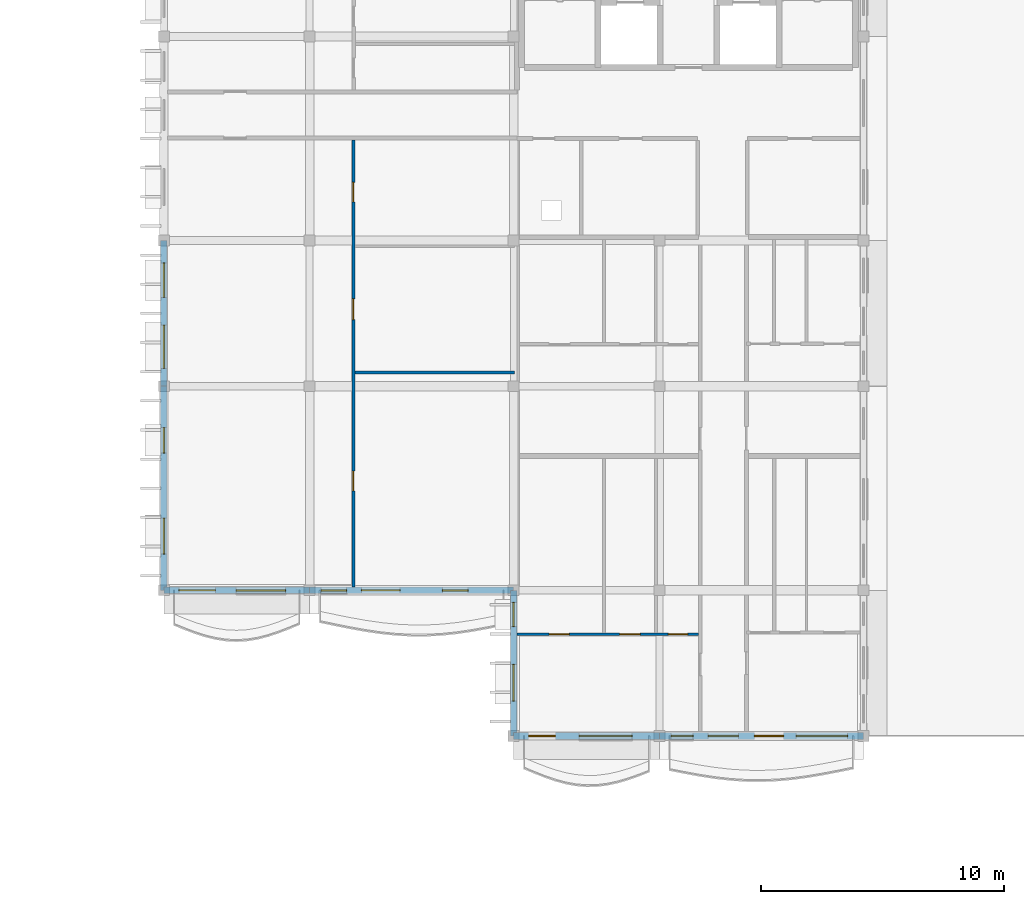
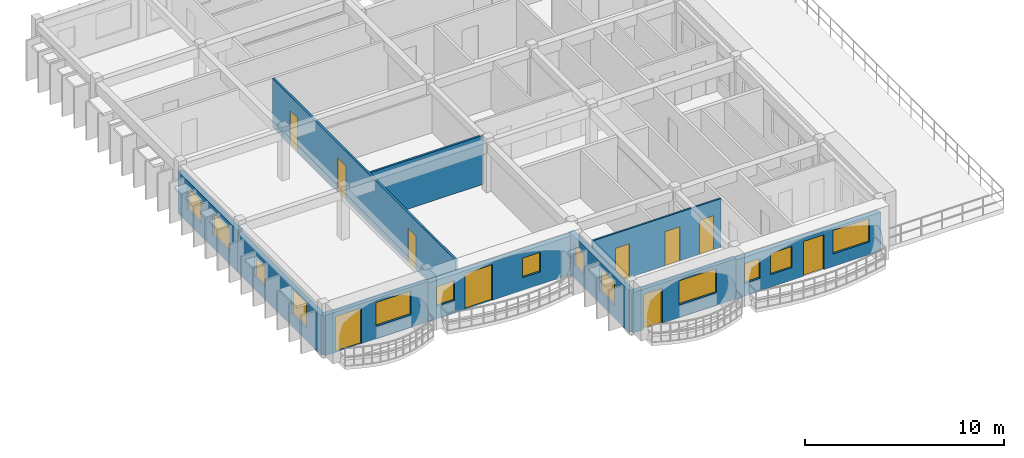
# One storey, part 29 of 66: 13 windows, 10 doors, 10 walls, 23 openings.
"""IFC4 building model written with IfcOpenShell, lengths in metres."""

import ifcopenshell
import ifcopenshell.guid

model = None  # the IFC model being written
_history = None  # IfcOwnerHistory: only IFC2X3 demands one
_inside = {}  # id of a spatial element -> (the spatial element, [elements in it])
_under = {}  # id of a project, library or spatial element -> (it, [spatial elements below it])
_declared = {}  # id of a project -> (the project, [libraries it declares])
_typed = {}  # id of a type object -> (the type object, [elements of that type])
_made_of = {}  # id of a material, layer set ... -> (it, [elements and type objects made of it])


def new_model(schema):
    """Start an empty IFC model of exactly this schema.

    Asked for "IFC4X3", IfcOpenShell would pick the latest addendum, in which some entities
    have other attributes; the version numbers below select the first issue.
    IFC2X3 requires an IfcOwnerHistory on every rooted entity: one is made here for all.
    """
    global model, _history
    if schema == "IFC4X3":
        model = ifcopenshell.file(schema_version=(4, 3, 0, 0))
    else:
        model = ifcopenshell.file(schema=schema)
    _inside.clear()
    _under.clear()
    _declared.clear()
    _typed.clear()
    _made_of.clear()
    _history = None
    if model.schema == "IFC2X3":
        org = make("IfcOrganization", Name="unknown")
        user = make(
            "IfcPersonAndOrganization",
            ThePerson=make("IfcPerson", FamilyName="unknown"),
            TheOrganization=org,
        )
        app = make(
            "IfcApplication",
            ApplicationDeveloper=org,
            Version="unknown",
            ApplicationFullName="unknown",
            ApplicationIdentifier="unknown",
        )
        _history = make(
            "IfcOwnerHistory",
            OwningUser=user,
            OwningApplication=app,
            ChangeAction="ADDED",
            CreationDate=0,
        )
    return model


def make(cls, **values):
    """One entity of the class cls with the attributes given. An attribute that is None is left unset."""
    return model.create_entity(
        cls, **{name: value for name, value in values.items() if value is not None}
    )


def rooted(cls, **values):
    """An entity with a GlobalId (a new one), such as an element, a storey or a relation."""
    return make(cls, GlobalId=ifcopenshell.guid.new(), OwnerHistory=_history, **values)


def si_unit(unit_type, name, prefix=None):
    """IfcSIUnit, for example si_unit("LENGTHUNIT", "METRE", prefix="MILLI")."""
    return make("IfcSIUnit", UnitType=unit_type, Prefix=prefix, Name=name)


def assignment(units):
    """IfcUnitAssignment: the units of a project."""
    return None if units is None else make("IfcUnitAssignment", Units=units)


def point(xyz):
    """IfcCartesianPoint."""
    return None if xyz is None else make("IfcCartesianPoint", Coordinates=xyz)


def direction(xyz):
    """IfcDirection."""
    return None if xyz is None else make("IfcDirection", DirectionRatios=xyz)


def frame(location, z_axis=None, x_axis=None):
    """IfcAxis2Placement3D, a coordinate frame: its origin and axes. An axis left out is left unset."""
    return make(
        "IfcAxis2Placement3D",
        Location=point(location),
        Axis=direction(z_axis),
        RefDirection=direction(x_axis),
    )


def frame_2d(location, x_axis=None):
    """IfcAxis2Placement2D, a coordinate frame in the plane: its origin and x axis."""
    return make(
        "IfcAxis2Placement2D", Location=point(location), RefDirection=direction(x_axis)
    )


def origin():
    """The frame at (0, 0, 0) with its axes left unset."""
    return frame((0.0, 0.0, 0.0))


def place(relative_to, where):
    """IfcLocalPlacement: puts the frame where relative to a parent placement (None: the world)."""
    return make(
        "IfcLocalPlacement", PlacementRelTo=relative_to, RelativePlacement=where
    )


def context(
    kind, dimensions, precision=None, world=None, true_north=None, identifier=None
):
    """IfcGeometricRepresentationContext, for example the 3D "Model" context."""
    return make(
        "IfcGeometricRepresentationContext",
        ContextIdentifier=identifier,
        ContextType=kind,
        CoordinateSpaceDimension=dimensions,
        Precision=precision,
        WorldCoordinateSystem=world,
        TrueNorth=true_north,
    )


def subcontext(parent, identifier, kind, view, scale=None):
    """IfcGeometricRepresentationSubContext, for example "Body" below "Model"."""
    return make(
        "IfcGeometricRepresentationSubContext",
        ContextIdentifier=identifier,
        ContextType=kind,
        ParentContext=parent,
        TargetScale=scale,
        TargetView=view,
    )


def project(units=None, contexts=None):
    """IfcProject with its units and contexts."""
    return rooted(
        "IfcProject",
        Name="project",
        RepresentationContexts=contexts,
        UnitsInContext=assignment(units),
    )


def spatial(cls, under=None, at=None, **own):
    """A site, building, storey or space (cls), placed at a placement, below another one or the project."""
    s = rooted(cls, ObjectPlacement=at, **own)
    if under is not None:
        _under.setdefault(under.id(), (under, []))[1].append(s)
    return s


def profile(cls, at=None, kind="AREA", **sizes):
    """A parametric profile (cls). Its sizes go by their IFC names, for example OverallWidth=200.0."""
    return make(cls, ProfileType=kind, Position=at, **sizes)


def rectangle(**sizes):
    """IfcRectangleProfileDef."""
    return profile("IfcRectangleProfileDef", **sizes)


def extrude(swept, where, along, depth):
    """IfcExtrudedAreaSolid: the profile swept, set in the frame where, extruded along a direction by depth."""
    return make(
        "IfcExtrudedAreaSolid",
        SweptArea=swept,
        Position=where,
        ExtrudedDirection=direction(along),
        Depth=depth,
    )


def shape(context_of_items, identifier, shape_type, items):
    """IfcShapeRepresentation: the items that make up one representation, for example the "Body"."""
    return make(
        "IfcShapeRepresentation",
        ContextOfItems=context_of_items,
        RepresentationIdentifier=identifier,
        RepresentationType=shape_type,
        Items=items,
    )


def material(Name=None, Category=None):
    """IfcMaterial."""
    return make("IfcMaterial", Name=Name, Category=Category)


def layer(
    of_material, thickness, ventilated=None, Name=None, Category=None, Priority=None
):
    """IfcMaterialLayer: one layer of a wall or slab, of a material (None: an air gap)."""
    return make(
        "IfcMaterialLayer",
        Material=of_material,
        LayerThickness=thickness,
        IsVentilated=ventilated,
        Name=Name,
        Category=Category,
        Priority=Priority,
    )


def layer_set(layers, Name=None):
    """IfcMaterialLayerSet."""
    return make("IfcMaterialLayerSet", MaterialLayers=layers, LayerSetName=Name)


def made_of(thing, what):
    """Note that an element or type object is made of a material, layer set ...; save() writes the relation."""
    if what is not None:
        _made_of.setdefault(what.id(), (what, []))[1].append(thing)
    return thing


def type_object(cls, material=None, **own):
    """A type object (cls), such as IfcWallType, which elements share."""
    return made_of(rooted(cls, **own), material)


def element(
    cls,
    number,
    at=None,
    inside=None,
    cuts=None,
    type_object=None,
    material=None,
    context=None,
    identifier="Body",
    shape_type=None,
    held_by="IfcProductDefinitionShape",
    body=None,
    shapes=None,
    **own,
):
    """One element of the class cls, such as IfcWall. Its Tag is "e" and its number.

    at: its placement. inside: the storey or other place that contains it. cuts: it is an
    opening in that element (IfcRelVoidsElement). A single representation is given by context,
    identifier, shape_type and body (its items); several are given by shapes. held_by: the class
    of the entity that holds the representations. save() writes the other relations.
    """
    e = rooted(cls, Tag="e%d" % number, ObjectPlacement=at, **own)
    if body is not None:
        shapes = [shape(context, identifier, shape_type, body)]
    if shapes is not None:
        e.Representation = make(held_by, Representations=shapes)
    if inside is not None:
        _inside.setdefault(inside.id(), (inside, []))[1].append(e)
    if cuts is not None:
        rooted(
            "IfcRelVoidsElement", RelatingBuildingElement=cuts, RelatedOpeningElement=e
        )
    if type_object is not None:
        _typed.setdefault(type_object.id(), (type_object, []))[1].append(e)
    return made_of(e, material)


def fill(opening, filler):
    """IfcRelFillsElement: the door or window that sits in an opening."""
    return rooted(
        "IfcRelFillsElement",
        RelatingOpeningElement=opening,
        RelatedBuildingElement=filler,
    )


def aggregate(whole, parts):
    """IfcRelAggregates: a whole, such as a stair, and the parts it consists of."""
    return rooted("IfcRelAggregates", RelatingObject=whole, RelatedObjects=parts)


def save(model, path):
    """Write the relations noted so far, then the file.

    IfcRelAggregates (storeys below a building ...), IfcRelContainedInSpatialStructure (elements
    in a storey), IfcRelDefinesByType, IfcRelAssociatesMaterial and IfcRelDeclares: one each for
    every whole, place, type object, material and project.
    """
    for whole, parts in _under.values():
        aggregate(whole, parts)
    for where, things in _inside.values():
        rooted(
            "IfcRelContainedInSpatialStructure",
            RelatedElements=things,
            RelatingStructure=where,
        )
    for kind, things in _typed.values():
        rooted("IfcRelDefinesByType", RelatedObjects=things, RelatingType=kind)
    for what, things in _made_of.values():
        rooted("IfcRelAssociatesMaterial", RelatedObjects=things, RelatingMaterial=what)
    for by, libraries in _declared.values():
        rooted("IfcRelDeclares", RelatingContext=by, RelatedDefinitions=libraries)
    model.write(path)


model = new_model("IFC4")

# Units and contexts
model_context = context("Model", 3, precision=1e-05, world=origin(), true_north=direction((0.0, 1.0)))
body_context = subcontext(model_context, "Body", "Model", "MODEL_VIEW")
ifc_project = project(units=[si_unit("LENGTHUNIT", "METRE"), si_unit("AREAUNIT", "SQUARE_METRE"), si_unit("VOLUMEUNIT", "CUBIC_METRE"), si_unit("PLANEANGLEUNIT", "RADIAN"), si_unit("MASSUNIT", "GRAM", prefix="KILO"), si_unit("THERMODYNAMICTEMPERATUREUNIT", "KELVIN")], contexts=[model_context])

# Site, building, storey
site_placement = place(None, origin())
site = spatial("IfcSite", under=ifc_project, at=site_placement, CompositionType="ELEMENT")
building_placement = place(site_placement, origin())
building = spatial("IfcBuilding", under=site, at=building_placement, Name="Thalorik Housing Commons", CompositionType="ELEMENT")
storey_placement = place(building_placement, frame((0.0, 0.0, 21.300048828125)))
storey = spatial("IfcBuildingStorey", under=building, at=storey_placement, Name="L06", CompositionType="ELEMENT", Elevation=21.300048828125)

# Wall, openings, windows
ifc_material_1 = material(Name="White precast concrete C40/50", Category="concrete")
ifc_layer_1 = layer(ifc_material_1, 0.27490234375, Name="White precast concrete C40/50", Category="concrete")
ifc_layer_set_1 = layer_set([ifc_layer_1], Name="White precast concrete C40/50")
wall_type_1 = type_object("IfcWallType", Name="ARC-WAL-EXT-275", PredefinedType="STANDARD", material=ifc_layer_set_1)
wall_1_placement = place(storey_placement, frame((138.0, 57.60009765625, 0.0), z_axis=(0.0, 0.0, 1.0), x_axis=(0.0, -1.0, 0.0)))
wall_1 = element("IfcWall", 1, at=wall_1_placement, inside=storey, type_object=wall_type_1, Name="L06 Exterior Wall WAL-EXT-L06-D-1229", PredefinedType="STANDARD", context=body_context, shape_type="SweptSolid", body=[
    extrude(rectangle(XDim=6.0, YDim=0.27490234375, at=frame_2d((3.0, 0.0))), origin(), (0.0, 0.0, 1.0), 2.574951171875),
])
opening_1_placement = place(wall_1_placement, frame((0.919921875, 0.0, 0.780029296875)))
opening_1 = element("IfcOpeningElement", 2, at=opening_1_placement, cuts=wall_1, Name="Opening W-50", PredefinedType="OPENING", context=body_context, shape_type="SweptSolid", body=[
    extrude(rectangle(XDim=1.419921875, YDim=1.3798828125, at=frame_2d((0.7099609375, 0.68994140625))), frame((0.0, 0.1474609375, 0.0), z_axis=(0.0, -1.0, 0.0), x_axis=(1.0, 0.0, 0.0)), (0.0, 0.0, 1.0), 0.294921875),
])
opening_2_placement = place(wall_1_placement, frame((3.47998046875, 0.0, 0.780029296875)))
opening_2 = element("IfcOpeningElement", 3, at=opening_2_placement, cuts=wall_1, Name="Opening W-57", PredefinedType="OPENING", context=body_context, shape_type="SweptSolid", body=[
    extrude(rectangle(XDim=1.780029296875, YDim=1.419921875, at=frame_2d((0.89013671875, 0.7099609375))), frame((0.0, 0.1474609375, 0.0), z_axis=(0.0, -1.0, 0.0), x_axis=(1.0, 0.0, 0.0)), (0.0, 0.0, 1.0), 0.294921875),
])
ifc_material_2 = material(Name="Anodised aluminium and solar-control low-E glass", Category="aluminium")
window_type_1 = type_object("IfcWindowType", Name="ARC-WIN-50", PartitioningType="SINGLE_PANEL", PredefinedType="WINDOW", material=ifc_material_2)
window_1_placement = place(opening_1_placement, origin())
window_1 = element("IfcWindow", 4, at=window_1_placement, inside=storey, type_object=window_type_1, Name="L06 Facade Window 2243", OverallHeight=1.3798828125, OverallWidth=1.419921875, PartitioningType="SINGLE_PANEL", PredefinedType="WINDOW", context=body_context, shape_type="SweptSolid", body=[
    extrude(rectangle(XDim=1.419921875, YDim=1.3798828125, at=frame_2d((0.7099609375, 0.68994140625))), frame((0.0, 0.030029296875, 0.0), z_axis=(0.0, -1.0, 0.0), x_axis=(1.0, 0.0, 0.0)), (0.0, 0.0, 1.0), 0.06005859375),
])
fill(opening_1, window_1)
window_type_2 = type_object("IfcWindowType", Name="ARC-WIN-57", PartitioningType="DOUBLE_PANEL_VERTICAL", PredefinedType="WINDOW", material=ifc_material_2)
window_2_placement = place(opening_2_placement, origin())
window_2 = element("IfcWindow", 5, at=window_2_placement, inside=storey, type_object=window_type_2, Name="L06 Facade Window 2244", OverallHeight=1.419921875, OverallWidth=1.780029296875, PartitioningType="DOUBLE_PANEL_VERTICAL", PredefinedType="WINDOW", context=body_context, shape_type="SweptSolid", body=[
    extrude(rectangle(XDim=1.780029296875, YDim=1.419921875, at=frame_2d((0.89013671875, 0.7099609375))), frame((0.0, 0.030029296875, 0.0), z_axis=(0.0, -1.0, 0.0), x_axis=(1.0, 0.0, 0.0)), (0.0, 0.0, 1.0), 0.06005859375),
])
fill(opening_2, window_2)

wall_2_placement = place(storey_placement, frame((138.0, 51.60009765625, 0.0), z_axis=(0.0, 0.0, 1.0), x_axis=(0.0, -1.0, 0.0)))
wall_2 = element("IfcWall", 6, at=wall_2_placement, inside=storey, type_object=wall_type_1, Name="L06 Exterior Wall WAL-EXT-L06-D-1230", PredefinedType="STANDARD", context=body_context, shape_type="SweptSolid", body=[
    extrude(rectangle(XDim=8.400146484375, YDim=0.27490234375, at=frame_2d((4.2001953125, 0.0))), origin(), (0.0, 0.0, 1.0), 2.425048828125),
])
opening_3_placement = place(wall_2_placement, frame((1.705078125, 0.0, 0.780029296875)))
opening_3 = element("IfcOpeningElement", 7, at=opening_3_placement, cuts=wall_2, Name="Opening W-44", PredefinedType="OPENING", context=body_context, shape_type="SweptSolid", body=[
    extrude(rectangle(XDim=1.050048828125, YDim=1.199951171875, at=frame_2d((0.52490234375, 0.60009765625))), frame((0.0, 0.1474609375, 0.0), z_axis=(0.0, -1.0, 0.0), x_axis=(1.0, 0.0, 0.0)), (0.0, 0.0, 1.0), 0.294921875),
])
opening_4_placement = place(wall_2_placement, frame((5.429931640625, 0.0, 0.780029296875)))
opening_4 = element("IfcOpeningElement", 8, at=opening_4_placement, cuts=wall_2, Name="Opening W-51", PredefinedType="OPENING", context=body_context, shape_type="SweptSolid", body=[
    extrude(rectangle(XDim=1.47998046875, YDim=1.52001953125, at=frame_2d((0.739990234375, 0.760009765625))), frame((0.0, 0.1474609375, 0.0), z_axis=(0.0, -1.0, 0.0), x_axis=(1.0, 0.0, 0.0)), (0.0, 0.0, 1.0), 0.294921875),
])
window_type_3 = type_object("IfcWindowType", Name="ARC-WIN-44", PartitioningType="SINGLE_PANEL", PredefinedType="WINDOW", material=ifc_material_2)
window_3_placement = place(opening_3_placement, origin())
window_3 = element("IfcWindow", 9, at=window_3_placement, inside=storey, type_object=window_type_3, Name="L06 Facade Window 2245", OverallHeight=1.199951171875, OverallWidth=1.050048828125, PartitioningType="SINGLE_PANEL", PredefinedType="WINDOW", context=body_context, shape_type="SweptSolid", body=[
    extrude(rectangle(XDim=1.050048828125, YDim=1.199951171875, at=frame_2d((0.52490234375, 0.60009765625))), frame((0.0, 0.030029296875, 0.0), z_axis=(0.0, -1.0, 0.0), x_axis=(1.0, 0.0, 0.0)), (0.0, 0.0, 1.0), 0.06005859375),
])
fill(opening_3, window_3)
window_type_4 = type_object("IfcWindowType", Name="ARC-WIN-51", PartitioningType="SINGLE_PANEL", PredefinedType="WINDOW", material=ifc_material_2)
window_4_placement = place(opening_4_placement, origin())
window_4 = element("IfcWindow", 10, at=window_4_placement, inside=storey, type_object=window_type_4, Name="L06 Facade Window 2246", OverallHeight=1.52001953125, OverallWidth=1.47998046875, PartitioningType="SINGLE_PANEL", PredefinedType="WINDOW", context=body_context, shape_type="SweptSolid", body=[
    extrude(rectangle(XDim=1.47998046875, YDim=1.52001953125, at=frame_2d((0.739990234375, 0.760009765625))), frame((0.0, 0.030029296875, 0.0), z_axis=(0.0, -1.0, 0.0), x_axis=(1.0, 0.0, 0.0)), (0.0, 0.0, 1.0), 0.06005859375),
])
fill(opening_4, window_4)

# Wall, openings, door, window
wall_3_placement = place(storey_placement, frame((138.0, 43.199951171875, 0.0), z_axis=(0.0, 0.0, 1.0), x_axis=(1.0, 0.0, 0.0)))
wall_3 = element("IfcWall", 11, at=wall_3_placement, inside=storey, type_object=wall_type_1, Name="L06 Exterior Wall WAL-EXT-L06-D-1231", PredefinedType="STANDARD", context=body_context, shape_type="SweptSolid", body=[
    extrude(rectangle(XDim=6.0, YDim=0.27490234375, at=frame_2d((3.0, 0.0))), origin(), (0.0, 0.0, 1.0), 2.474853515625),
])
opening_5_placement = place(wall_3_placement, frame((0.6201171875, 0.0, 0.0)))
opening_5 = element("IfcOpeningElement", 12, at=opening_5_placement, cuts=wall_3, Name="Opening ED-0416", PredefinedType="OPENING", context=body_context, shape_type="SweptSolid", body=[
    extrude(rectangle(XDim=1.5, YDim=2.199951171875, at=frame_2d((0.75, 1.10009765625))), frame((0.0, 0.1474609375, 0.0), z_axis=(0.0, -1.0, 0.0), x_axis=(1.0, 0.0, 0.0)), (0.0, 0.0, 1.0), 0.294921875),
])
opening_6_placement = place(wall_3_placement, frame((2.969970703125, 0.0, 0.780029296875)))
opening_6 = element("IfcOpeningElement", 13, at=opening_6_placement, cuts=wall_3, Name="Opening W-62", PredefinedType="OPENING", context=body_context, shape_type="SweptSolid", body=[
    extrude(rectangle(XDim=2.0400390625, YDim=1.4599609375, at=frame_2d((1.02001953125, 0.72998046875))), frame((0.0, 0.1474609375, 0.0), z_axis=(0.0, -1.0, 0.0), x_axis=(1.0, 0.0, 0.0)), (0.0, 0.0, 1.0), 0.294921875),
])
ifc_material_3 = material(Name="Anodised aluminium and laminated safety glass", Category="aluminium")
door_type_1 = type_object("IfcDoorType", Name="ARC-DR-BAL-1500", OperationType="NOTDEFINED", PredefinedType="DOOR", material=ifc_material_3)
door_1_placement = place(opening_5_placement, frame((1.5, 0.0, 0.0), z_axis=(0.0, 0.0, 1.0), x_axis=(-1.0, 0.0, 0.0)))
door_1 = element("IfcDoor", 14, at=door_1_placement, inside=storey, type_object=door_type_1, Name="L06 Block D Balcony Glazed Door", OperationType="SLIDING_TO_RIGHT", OverallHeight=2.199951171875, OverallWidth=1.5, PredefinedType="DOOR", context=body_context, shape_type="SweptSolid", body=[
    extrude(rectangle(XDim=1.5, YDim=2.199951171875, at=frame_2d((0.75, 1.10009765625))), frame((0.0, 0.02490234375, 0.0), z_axis=(0.0, -1.0, 0.0), x_axis=(1.0, 0.0, 0.0)), (0.0, 0.0, 1.0), 0.050048828125),
])
fill(opening_5, door_1)
window_type_5 = type_object("IfcWindowType", Name="ARC-WIN-62", PartitioningType="DOUBLE_PANEL_VERTICAL", PredefinedType="WINDOW", material=ifc_material_2)
window_5_placement = place(opening_6_placement, origin())
window_5 = element("IfcWindow", 15, at=window_5_placement, inside=storey, type_object=window_type_5, Name="L06 Facade Window 2247", OverallHeight=1.4599609375, OverallWidth=2.0400390625, PartitioningType="DOUBLE_PANEL_VERTICAL", PredefinedType="WINDOW", context=body_context, shape_type="SweptSolid", body=[
    extrude(rectangle(XDim=2.0400390625, YDim=1.4599609375, at=frame_2d((1.02001953125, 0.72998046875))), frame((0.0, 0.030029296875, 0.0), z_axis=(0.0, -1.0, 0.0), x_axis=(1.0, 0.0, 0.0)), (0.0, 0.0, 1.0), 0.06005859375),
])
fill(opening_6, window_5)

# Wall, openings, door, windows
wall_4_placement = place(storey_placement, frame((144.0, 43.199951171875, 0.0), z_axis=(0.0, 0.0, 1.0), x_axis=(1.0, 0.0, 0.0)))
wall_4 = element("IfcWall", 16, at=wall_4_placement, inside=storey, type_object=wall_type_1, Name="L06 Exterior Wall WAL-EXT-L06-D-1232", PredefinedType="STANDARD", context=body_context, shape_type="SweptSolid", body=[
    extrude(rectangle(XDim=8.39990234375, YDim=0.27490234375, at=frame_2d((4.199951171875, 0.0))), origin(), (0.0, 0.0, 1.0), 2.375),
])
opening_7_placement = place(wall_4_placement, frame((2.1298828125, 0.0, 0.0)))
opening_7 = element("IfcOpeningElement", 17, at=opening_7_placement, cuts=wall_4, Name="Opening ED-0417", PredefinedType="OPENING", context=body_context, shape_type="SweptSolid", body=[
    extrude(rectangle(XDim=1.60009765625, YDim=2.199951171875, at=frame_2d((0.800048828125, 1.10009765625))), frame((0.0, 0.1474609375, 0.0), z_axis=(0.0, -1.0, 0.0), x_axis=(1.0, 0.0, 0.0)), (0.0, 0.0, 1.0), 0.294921875),
])
opening_8_placement = place(wall_4_placement, frame((0.469970703125, 0.0, 0.780029296875)))
opening_8 = element("IfcOpeningElement", 18, at=opening_8_placement, cuts=wall_4, Name="Opening W-44", PredefinedType="OPENING", context=body_context, shape_type="SweptSolid", body=[
    extrude(rectangle(XDim=1.050048828125, YDim=1.199951171875, at=frame_2d((0.52490234375, 0.60009765625))), frame((0.0, 0.1474609375, 0.0), z_axis=(0.0, -1.0, 0.0), x_axis=(1.0, 0.0, 0.0)), (0.0, 0.0, 1.0), 0.294921875),
])
opening_9_placement = place(wall_4_placement, frame((5.469970703125, 0.0, 0.780029296875)))
opening_9 = element("IfcOpeningElement", 19, at=opening_9_placement, cuts=wall_4, Name="Opening W-44", PredefinedType="OPENING", context=body_context, shape_type="SweptSolid", body=[
    extrude(rectangle(XDim=1.050048828125, YDim=1.199951171875, at=frame_2d((0.52490234375, 0.60009765625))), frame((0.0, 0.1474609375, 0.0), z_axis=(0.0, -1.0, 0.0), x_axis=(1.0, 0.0, 0.0)), (0.0, 0.0, 1.0), 0.294921875),
])
door_type_2 = type_object("IfcDoorType", Name="ARC-DR-BAL-1600", OperationType="NOTDEFINED", PredefinedType="DOOR", material=ifc_material_3)
door_2_placement = place(opening_7_placement, frame((1.60009765625, 0.0, 0.0), z_axis=(0.0, 0.0, 1.0), x_axis=(-1.0, 0.0, 0.0)))
door_2 = element("IfcDoor", 20, at=door_2_placement, inside=storey, type_object=door_type_2, Name="L06 Block D Balcony Glazed Door", OperationType="SLIDING_TO_LEFT", OverallHeight=2.199951171875, OverallWidth=1.60009765625, PredefinedType="DOOR", context=body_context, shape_type="SweptSolid", body=[
    extrude(rectangle(XDim=1.60009765625, YDim=2.199951171875, at=frame_2d((0.800048828125, 1.10009765625))), frame((0.0, 0.02490234375, 0.0), z_axis=(0.0, -1.0, 0.0), x_axis=(1.0, 0.0, 0.0)), (0.0, 0.0, 1.0), 0.050048828125),
])
fill(opening_7, door_2)
window_6_placement = place(opening_8_placement, origin())
window_6 = element("IfcWindow", 21, at=window_6_placement, inside=storey, type_object=window_type_3, Name="L06 Facade Window 2248", OverallHeight=1.199951171875, OverallWidth=1.050048828125, PartitioningType="SINGLE_PANEL", PredefinedType="WINDOW", context=body_context, shape_type="SweptSolid", body=[
    extrude(rectangle(XDim=1.050048828125, YDim=1.199951171875, at=frame_2d((0.52490234375, 0.60009765625))), frame((0.0, 0.030029296875, 0.0), z_axis=(0.0, -1.0, 0.0), x_axis=(1.0, 0.0, 0.0)), (0.0, 0.0, 1.0), 0.06005859375),
])
fill(opening_8, window_6)
window_7_placement = place(opening_9_placement, origin())
window_7 = element("IfcWindow", 22, at=window_7_placement, inside=storey, type_object=window_type_3, Name="L06 Facade Window 2249", OverallHeight=1.199951171875, OverallWidth=1.050048828125, PartitioningType="SINGLE_PANEL", PredefinedType="WINDOW", context=body_context, shape_type="SweptSolid", body=[
    extrude(rectangle(XDim=1.050048828125, YDim=1.199951171875, at=frame_2d((0.52490234375, 0.60009765625))), frame((0.0, 0.030029296875, 0.0), z_axis=(0.0, -1.0, 0.0), x_axis=(1.0, 0.0, 0.0)), (0.0, 0.0, 1.0), 0.06005859375),
])
fill(opening_9, window_7)

# Wall, openings, windows
wall_5_placement = place(storey_placement, frame((152.39990234375, 43.199951171875, 0.0), z_axis=(0.0, 0.0, 1.0), x_axis=(0.0, -1.0, 0.0)))
wall_5 = element("IfcWall", 23, at=wall_5_placement, inside=storey, type_object=wall_type_1, Name="L06 Exterior Wall WAL-EXT-L06-D-1233", PredefinedType="STANDARD", context=body_context, shape_type="SweptSolid", body=[
    extrude(rectangle(XDim=6.0, YDim=0.27490234375, at=frame_2d((3.0, 0.0))), origin(), (0.0, 0.0, 1.0), 2.574951171875),
])
opening_10_placement = place(wall_5_placement, frame((0.49755859375, 0.0, 0.780029296875)))
opening_10 = element("IfcOpeningElement", 24, at=opening_10_placement, cuts=wall_5, Name="Opening W-02", PredefinedType="OPENING", context=body_context, shape_type="SweptSolid", body=[
    extrude(rectangle(XDim=1.0, YDim=1.25, at=frame_2d((0.5, 0.625))), frame((0.0, 0.1474609375, 0.0), z_axis=(0.0, -1.0, 0.0), x_axis=(1.0, 0.0, 0.0)), (0.0, 0.0, 1.0), 0.294921875),
])
opening_11_placement = place(wall_5_placement, frame((3.047607421875, 0.0, 0.780029296875)))
opening_11 = element("IfcOpeningElement", 25, at=opening_11_placement, cuts=wall_5, Name="Opening W-52", PredefinedType="OPENING", context=body_context, shape_type="SweptSolid", body=[
    extrude(rectangle(XDim=1.52001953125, YDim=1.419921875, at=frame_2d((0.760009765625, 0.7099609375))), frame((0.0, 0.1474609375, 0.0), z_axis=(0.0, -1.0, 0.0), x_axis=(1.0, 0.0, 0.0)), (0.0, 0.0, 1.0), 0.294921875),
])
window_type_6 = type_object("IfcWindowType", Name="ARC-WIN-02", PartitioningType="SINGLE_PANEL", PredefinedType="WINDOW", material=ifc_material_2)
window_8_placement = place(opening_10_placement, origin())
window_8 = element("IfcWindow", 26, at=window_8_placement, inside=storey, type_object=window_type_6, Name="L06 Facade Window 2250", OverallHeight=1.25, OverallWidth=1.0, PartitioningType="SINGLE_PANEL", PredefinedType="WINDOW", context=body_context, shape_type="SweptSolid", body=[
    extrude(rectangle(XDim=1.0, YDim=1.25, at=frame_2d((0.5, 0.625))), frame((0.0, 0.030029296875, 0.0), z_axis=(0.0, -1.0, 0.0), x_axis=(1.0, 0.0, 0.0)), (0.0, 0.0, 1.0), 0.06005859375),
])
fill(opening_10, window_8)
window_type_7 = type_object("IfcWindowType", Name="ARC-WIN-52", PartitioningType="SINGLE_PANEL", PredefinedType="WINDOW", material=ifc_material_2)
window_9_placement = place(opening_11_placement, origin())
window_9 = element("IfcWindow", 27, at=window_9_placement, inside=storey, type_object=window_type_7, Name="L06 Facade Window 2251", OverallHeight=1.419921875, OverallWidth=1.52001953125, PartitioningType="SINGLE_PANEL", PredefinedType="WINDOW", context=body_context, shape_type="SweptSolid", body=[
    extrude(rectangle(XDim=1.52001953125, YDim=1.419921875, at=frame_2d((0.760009765625, 0.7099609375))), frame((0.0, 0.030029296875, 0.0), z_axis=(0.0, -1.0, 0.0), x_axis=(1.0, 0.0, 0.0)), (0.0, 0.0, 1.0), 0.06005859375),
])
fill(opening_11, window_9)

# Wall, openings, door, window
wall_6_placement = place(storey_placement, frame((152.39990234375, 37.199951171875, 0.0), z_axis=(0.0, 0.0, 1.0), x_axis=(1.0, 0.0, 0.0)))
wall_6 = element("IfcWall", 28, at=wall_6_placement, inside=storey, type_object=wall_type_1, Name="L06 Exterior Wall WAL-EXT-L06-D-1234", PredefinedType="STANDARD", context=body_context, shape_type="SweptSolid", body=[
    extrude(rectangle(XDim=6.0, YDim=0.27490234375, at=frame_2d((3.0, 0.0))), origin(), (0.0, 0.0, 1.0), 2.474853515625),
])
opening_12_placement = place(wall_6_placement, frame((0.6201171875, 0.0, 0.0)))
opening_12 = element("IfcOpeningElement", 29, at=opening_12_placement, cuts=wall_6, Name="Opening ED-0418", PredefinedType="OPENING", context=body_context, shape_type="SweptSolid", body=[
    extrude(rectangle(XDim=1.10009765625, YDim=2.14990234375, at=frame_2d((0.550048828125, 1.074951171875))), frame((0.0, 0.1474609375, 0.0), z_axis=(0.0, -1.0, 0.0), x_axis=(1.0, 0.0, 0.0)), (0.0, 0.0, 1.0), 0.294921875),
])
opening_13_placement = place(wall_6_placement, frame((2.699951171875, 0.0, 0.780029296875)))
opening_13 = element("IfcOpeningElement", 30, at=opening_13_placement, cuts=wall_6, Name="Opening W-65", PredefinedType="OPENING", context=body_context, shape_type="SweptSolid", body=[
    extrude(rectangle(XDim=2.179931640625, YDim=1.47998046875, at=frame_2d((1.08984375, 0.739990234375))), frame((0.0, 0.1474609375, 0.0), z_axis=(0.0, -1.0, 0.0), x_axis=(1.0, 0.0, 0.0)), (0.0, 0.0, 1.0), 0.294921875),
])
door_type_3 = type_object("IfcDoorType", Name="ARC-DR-BAL-1100", OperationType="NOTDEFINED", PredefinedType="DOOR", material=ifc_material_3)
door_3_placement = place(opening_12_placement, frame((1.10009765625, 0.0, 0.0), z_axis=(0.0, 0.0, 1.0), x_axis=(-1.0, 0.0, 0.0)))
door_3 = element("IfcDoor", 31, at=door_3_placement, inside=storey, type_object=door_type_3, Name="L06 Block D Balcony Glazed Door", OperationType="SINGLE_SWING_LEFT", OverallHeight=2.14990234375, OverallWidth=1.10009765625, PredefinedType="DOOR", context=body_context, shape_type="SweptSolid", body=[
    extrude(rectangle(XDim=1.10009765625, YDim=2.14990234375, at=frame_2d((0.550048828125, 1.074951171875))), frame((0.0, 0.02490234375, 0.0), z_axis=(0.0, -1.0, 0.0), x_axis=(1.0, 0.0, 0.0)), (0.0, 0.0, 1.0), 0.050048828125),
])
fill(opening_12, door_3)
window_type_8 = type_object("IfcWindowType", Name="ARC-WIN-65", PartitioningType="DOUBLE_PANEL_VERTICAL", PredefinedType="WINDOW", material=ifc_material_2)
window_10_placement = place(opening_13_placement, origin())
window_10 = element("IfcWindow", 32, at=window_10_placement, inside=storey, type_object=window_type_8, Name="L06 Facade Window 2252", OverallHeight=1.47998046875, OverallWidth=2.179931640625, PartitioningType="DOUBLE_PANEL_VERTICAL", PredefinedType="WINDOW", context=body_context, shape_type="SweptSolid", body=[
    extrude(rectangle(XDim=2.179931640625, YDim=1.47998046875, at=frame_2d((1.08984375, 0.739990234375))), frame((0.0, 0.030029296875, 0.0), z_axis=(0.0, -1.0, 0.0), x_axis=(1.0, 0.0, 0.0)), (0.0, 0.0, 1.0), 0.06005859375),
])
fill(opening_13, window_10)

# Wall, openings, door, windows
wall_7_placement = place(storey_placement, frame((158.39990234375, 37.199951171875, 0.0), z_axis=(0.0, 0.0, 1.0), x_axis=(1.0, 0.0, 0.0)))
wall_7 = element("IfcWall", 33, at=wall_7_placement, inside=storey, type_object=wall_type_1, Name="L06 Exterior Wall WAL-EXT-L06-D-1235", PredefinedType="STANDARD", context=body_context, shape_type="SweptSolid", body=[
    extrude(rectangle(XDim=8.400146484375, YDim=0.27490234375, at=frame_2d((4.2001953125, 0.0))), origin(), (0.0, 0.0, 1.0), 2.375),
])
opening_14_placement = place(wall_7_placement, frame((3.909912109375, 0.0, 0.0)))
opening_14 = element("IfcOpeningElement", 34, at=opening_14_placement, cuts=wall_7, Name="Opening ED-0419", PredefinedType="OPENING", context=body_context, shape_type="SweptSolid", body=[
    extrude(rectangle(XDim=1.199951171875, YDim=2.14990234375, at=frame_2d((0.60009765625, 1.074951171875))), frame((0.0, 0.1474609375, 0.0), z_axis=(0.0, -1.0, 0.0), x_axis=(1.0, 0.0, 0.0)), (0.0, 0.0, 1.0), 0.294921875),
])
opening_15_placement = place(wall_7_placement, frame((0.485107421875, 0.0, 0.780029296875)))
opening_15 = element("IfcOpeningElement", 35, at=opening_15_placement, cuts=wall_7, Name="Opening W-01", PredefinedType="OPENING", context=body_context, shape_type="SweptSolid", body=[
    extrude(rectangle(XDim=0.89990234375, YDim=1.199951171875, at=frame_2d((0.449951171875, 0.60009765625))), frame((0.0, 0.1474609375, 0.0), z_axis=(0.0, -1.0, 0.0), x_axis=(1.0, 0.0, 0.0)), (0.0, 0.0, 1.0), 0.294921875),
])
opening_16_placement = place(wall_7_placement, frame((2.0048828125, 0.0, 0.780029296875)))
opening_16 = element("IfcOpeningElement", 36, at=opening_16_placement, cuts=wall_7, Name="Opening W-46", PredefinedType="OPENING", context=body_context, shape_type="SweptSolid", body=[
    extrude(rectangle(XDim=1.25, YDim=1.300048828125, at=frame_2d((0.625, 0.64990234375))), frame((0.0, 0.1474609375, 0.0), z_axis=(0.0, -1.0, 0.0), x_axis=(1.0, 0.0, 0.0)), (0.0, 0.0, 1.0), 0.294921875),
])
opening_17_placement = place(wall_7_placement, frame((5.625, 0.0, 0.780029296875)))
opening_17 = element("IfcOpeningElement", 37, at=opening_17_placement, cuts=wall_7, Name="Opening W-64", PredefinedType="OPENING", context=body_context, shape_type="SweptSolid", body=[
    extrude(rectangle(XDim=2.1201171875, YDim=1.43994140625, at=frame_2d((1.06005859375, 0.719970703125))), frame((0.0, 0.1474609375, 0.0), z_axis=(0.0, -1.0, 0.0), x_axis=(1.0, 0.0, 0.0)), (0.0, 0.0, 1.0), 0.294921875),
])
door_type_4 = type_object("IfcDoorType", Name="ARC-DR-BAL-1200", OperationType="NOTDEFINED", PredefinedType="DOOR", material=ifc_material_3)
door_4_placement = place(opening_14_placement, frame((1.199951171875, 0.0, 0.0), z_axis=(0.0, 0.0, 1.0), x_axis=(-1.0, 0.0, 0.0)))
door_4 = element("IfcDoor", 38, at=door_4_placement, inside=storey, type_object=door_type_4, Name="L06 Block D Balcony Glazed Door", OperationType="SINGLE_SWING_RIGHT", OverallHeight=2.14990234375, OverallWidth=1.199951171875, PredefinedType="DOOR", context=body_context, shape_type="SweptSolid", body=[
    extrude(rectangle(XDim=1.199951171875, YDim=2.14990234375, at=frame_2d((0.60009765625, 1.074951171875))), frame((0.0, 0.02490234375, 0.0), z_axis=(0.0, -1.0, 0.0), x_axis=(1.0, 0.0, 0.0)), (0.0, 0.0, 1.0), 0.050048828125),
])
fill(opening_14, door_4)
window_type_9 = type_object("IfcWindowType", Name="ARC-WIN-01", PartitioningType="SINGLE_PANEL", PredefinedType="WINDOW", material=ifc_material_2)
window_11_placement = place(opening_15_placement, origin())
window_11 = element("IfcWindow", 39, at=window_11_placement, inside=storey, type_object=window_type_9, Name="L06 Facade Window 2253", OverallHeight=1.199951171875, OverallWidth=0.89990234375, PartitioningType="SINGLE_PANEL", PredefinedType="WINDOW", context=body_context, shape_type="SweptSolid", body=[
    extrude(rectangle(XDim=0.89990234375, YDim=1.199951171875, at=frame_2d((0.449951171875, 0.60009765625))), frame((0.0, 0.030029296875, 0.0), z_axis=(0.0, -1.0, 0.0), x_axis=(1.0, 0.0, 0.0)), (0.0, 0.0, 1.0), 0.06005859375),
])
fill(opening_15, window_11)
window_type_10 = type_object("IfcWindowType", Name="ARC-WIN-46", PartitioningType="SINGLE_PANEL", PredefinedType="WINDOW", material=ifc_material_2)
window_12_placement = place(opening_16_placement, origin())
window_12 = element("IfcWindow", 40, at=window_12_placement, inside=storey, type_object=window_type_10, Name="L06 Facade Window 2254", OverallHeight=1.300048828125, OverallWidth=1.25, PartitioningType="SINGLE_PANEL", PredefinedType="WINDOW", context=body_context, shape_type="SweptSolid", body=[
    extrude(rectangle(XDim=1.25, YDim=1.300048828125, at=frame_2d((0.625, 0.64990234375))), frame((0.0, 0.030029296875, 0.0), z_axis=(0.0, -1.0, 0.0), x_axis=(1.0, 0.0, 0.0)), (0.0, 0.0, 1.0), 0.06005859375),
])
fill(opening_16, window_12)
window_type_11 = type_object("IfcWindowType", Name="ARC-WIN-64", PartitioningType="DOUBLE_PANEL_VERTICAL", PredefinedType="WINDOW", material=ifc_material_2)
window_13_placement = place(opening_17_placement, origin())
window_13 = element("IfcWindow", 41, at=window_13_placement, inside=storey, type_object=window_type_11, Name="L06 Facade Window 2255", OverallHeight=1.43994140625, OverallWidth=2.1201171875, PartitioningType="DOUBLE_PANEL_VERTICAL", PredefinedType="WINDOW", context=body_context, shape_type="SweptSolid", body=[
    extrude(rectangle(XDim=2.1201171875, YDim=1.43994140625, at=frame_2d((1.06005859375, 0.719970703125))), frame((0.0, 0.030029296875, 0.0), z_axis=(0.0, -1.0, 0.0), x_axis=(1.0, 0.0, 0.0)), (0.0, 0.0, 1.0), 0.06005859375),
])
fill(opening_17, window_13)

# Wall, openings, doors
ifc_material_4 = material(Name="Gypsum light stud partition", Category="masonry")
ifc_layer_2 = layer(ifc_material_4, 0.10009765625, Name="Gypsum light stud partition", Category="masonry")
ifc_layer_set_2 = layer_set([ifc_layer_2], Name="Gypsum light stud partition")
wall_type_2 = type_object("IfcWallType", Name="ARC-WAL-PART-100", PredefinedType="PARTITIONING", material=ifc_layer_set_2)
wall_8_placement = place(storey_placement, frame((152.53955078125, 41.39501953125, 0.0), z_axis=(0.0, 0.0, 1.0), x_axis=(1.0, 0.0, 0.0)))
wall_8 = element("IfcWall", 42, at=wall_8_placement, inside=storey, type_object=wall_type_2, Name="L06 Unit 1 Spine Partition", PredefinedType="PARTITIONING", context=body_context, shape_type="SweptSolid", body=[
    extrude(rectangle(XDim=7.46337890625, YDim=0.10009765625, at=frame_2d((3.731689453125, 0.0))), origin(), (0.0, 0.0, 1.0), 3.0),
])
opening_18_placement = place(wall_8_placement, frame((1.32421875, 0.0, 0.0)))
opening_18 = element("IfcOpeningElement", 43, at=opening_18_placement, cuts=wall_8, Name="Opening ID-2100", PredefinedType="OPENING", context=body_context, shape_type="SweptSolid", body=[
    extrude(rectangle(XDim=0.820068359375, YDim=2.080078125, at=frame_2d((0.41015625, 1.0400390625))), frame((0.0, 0.06005859375, 0.0), z_axis=(0.0, -1.0, 0.0), x_axis=(1.0, 0.0, 0.0)), (0.0, 0.0, 1.0), 0.1201171875),
])
opening_19_placement = place(wall_8_placement, frame((4.219970703125, 0.0, 0.0)))
opening_19 = element("IfcOpeningElement", 44, at=opening_19_placement, cuts=wall_8, Name="Opening ID-2101", PredefinedType="OPENING", context=body_context, shape_type="SweptSolid", body=[
    extrude(rectangle(XDim=0.85009765625, YDim=2.10009765625, at=frame_2d((0.425048828125, 1.050048828125))), frame((0.0, 0.06005859375, 0.0), z_axis=(0.0, -1.0, 0.0), x_axis=(1.0, 0.0, 0.0)), (0.0, 0.0, 1.0), 0.1201171875),
])
opening_20_placement = place(wall_8_placement, frame((6.22607421875, 0.0, 0.0)))
opening_20 = element("IfcOpeningElement", 45, at=opening_20_placement, cuts=wall_8, Name="Opening ID-2102", PredefinedType="OPENING", context=body_context, shape_type="SweptSolid", body=[
    extrude(rectangle(XDim=0.800048828125, YDim=2.10009765625, at=frame_2d((0.39990234375, 1.050048828125))), frame((0.0, 0.06005859375, 0.0), z_axis=(0.0, -1.0, 0.0), x_axis=(1.0, 0.0, 0.0)), (0.0, 0.0, 1.0), 0.1201171875),
])
ifc_material_5 = material(Name="Moisture-resistant timber", Category="wood")
door_type_5 = type_object("IfcDoorType", Name="ARC-DR-INT-800", OperationType="NOTDEFINED", PredefinedType="DOOR", material=ifc_material_5)
door_5_placement = place(opening_20_placement, origin())
door_5 = element("IfcDoor", 46, at=door_5_placement, inside=storey, type_object=door_type_5, Name="L06 Accessible Bathroom Door", OperationType="SINGLE_SWING_LEFT", OverallHeight=2.10009765625, OverallWidth=0.800048828125, PredefinedType="DOOR", context=body_context, shape_type="SweptSolid", body=[
    extrude(rectangle(XDim=0.800048828125, YDim=2.10009765625, at=frame_2d((0.39990234375, 1.050048828125))), frame((0.0, 0.02490234375, 0.0), z_axis=(0.0, -1.0, 0.0), x_axis=(1.0, 0.0, 0.0)), (0.0, 0.0, 1.0), 0.050048828125),
])
fill(opening_20, door_5)
ifc_material_6 = material(Name="Engineered oak timber", Category="wood")
door_type_6 = type_object("IfcDoorType", Name="ARC-DR-INT-820", OperationType="NOTDEFINED", PredefinedType="DOOR", material=ifc_material_6)
door_6_placement = place(opening_18_placement, origin())
door_6 = element("IfcDoor", 47, at=door_6_placement, inside=storey, type_object=door_type_6, Name="L06 Single Bedroom Door", OperationType="SINGLE_SWING_LEFT", OverallHeight=2.080078125, OverallWidth=0.820068359375, PredefinedType="DOOR", context=body_context, shape_type="SweptSolid", body=[
    extrude(rectangle(XDim=0.820068359375, YDim=2.080078125, at=frame_2d((0.41015625, 1.0400390625))), frame((0.0, 0.02490234375, 0.0), z_axis=(0.0, -1.0, 0.0), x_axis=(1.0, 0.0, 0.0)), (0.0, 0.0, 1.0), 0.050048828125),
])
fill(opening_18, door_6)
door_type_7 = type_object("IfcDoorType", Name="ARC-DR-INT-850", OperationType="NOTDEFINED", PredefinedType="DOOR", material=ifc_material_6)
door_7_placement = place(opening_19_placement, origin())
door_7 = element("IfcDoor", 48, at=door_7_placement, inside=storey, type_object=door_type_7, Name="L06 Eat-In Kitchen Door", OperationType="SINGLE_SWING_RIGHT", OverallHeight=2.10009765625, OverallWidth=0.85009765625, PredefinedType="DOOR", context=body_context, shape_type="SweptSolid", body=[
    extrude(rectangle(XDim=0.85009765625, YDim=2.10009765625, at=frame_2d((0.425048828125, 1.050048828125))), frame((0.0, 0.02490234375, 0.0), z_axis=(0.0, -1.0, 0.0), x_axis=(1.0, 0.0, 0.0)), (0.0, 0.0, 1.0), 0.050048828125),
])
fill(opening_19, door_7)

# Wall
ifc_material_7 = material(Name="Gypsum moisture-resistant partition", Category="masonry")
ifc_layer_3 = layer(ifc_material_7, 0.114990234375, Name="Gypsum moisture-resistant partition", Category="masonry")
ifc_layer_set_3 = layer_set([ifc_layer_3], Name="Gypsum moisture-resistant partition")
wall_type_3 = type_object("IfcWallType", Name="ARC-WAL-PART-115", PredefinedType="PARTITIONING", material=ifc_layer_set_3)
wall_9_placement = place(storey_placement, frame((145.864501953125, 52.168701171875, 0.0), z_axis=(0.0, 0.0, 1.0), x_axis=(1.0, 0.0, 0.0)))
element("IfcWall", 49, at=wall_9_placement, inside=storey, type_object=wall_type_3, Name="L06 Unit 1 Bedroom Partition", PredefinedType="PARTITIONING", context=body_context, shape_type="SweptSolid", body=[
    extrude(rectangle(XDim=6.573486328125, YDim=0.114990234375, at=frame_2d((3.28662109375, 0.0))), origin(), (0.0, 0.0, 1.0), 3.0),
])

# Wall, openings, doors
ifc_material_8 = material(Name="Gypsum acoustic stud partition", Category="masonry")
ifc_layer_4 = layer(ifc_material_8, 0.125, Name="Gypsum acoustic stud partition", Category="masonry")
ifc_layer_set_4 = layer_set([ifc_layer_4], Name="Gypsum acoustic stud partition")
wall_type_4 = type_object("IfcWallType", Name="ARC-WAL-PART-125", PredefinedType="PARTITIONING", material=ifc_layer_set_4)
wall_10_placement = place(storey_placement, frame((145.800048828125, 43.339599609375, 0.0), z_axis=(0.0, 0.0, 1.0), x_axis=(0.0, 1.0, 0.0)))
wall_10 = element("IfcWall", 50, at=wall_10_placement, inside=storey, type_object=wall_type_4, Name="L06 Unit 1 Spine Partition", PredefinedType="PARTITIONING", context=body_context, shape_type="SweptSolid", body=[
    extrude(rectangle(XDim=18.4033203125, YDim=0.125, at=frame_2d((9.20166015625, 0.0))), origin(), (0.0, 0.0, 1.0), 3.0),
])
opening_21_placement = place(wall_10_placement, frame((3.949951171875, 0.0, 0.0)))
opening_21 = element("IfcOpeningElement", 51, at=opening_21_placement, cuts=wall_10, Name="Opening ID-2116", PredefinedType="OPENING", context=body_context, shape_type="SweptSolid", body=[
    extrude(rectangle(XDim=0.820068359375, YDim=2.080078125, at=frame_2d((0.41015625, 1.0400390625))), frame((0.0, 0.072509765625, 0.0), z_axis=(0.0, -1.0, 0.0), x_axis=(1.0, 0.0, 0.0)), (0.0, 0.0, 1.0), 0.14501953125),
])
opening_22_placement = place(wall_10_placement, frame((11.002685546875, 0.0, 0.0)))
opening_22 = element("IfcOpeningElement", 52, at=opening_22_placement, cuts=wall_10, Name="Opening ID-2117", PredefinedType="OPENING", context=body_context, shape_type="SweptSolid", body=[
    extrude(rectangle(XDim=0.85009765625, YDim=2.10009765625, at=frame_2d((0.425048828125, 1.050048828125))), frame((0.0, 0.072509765625, 0.0), z_axis=(0.0, -1.0, 0.0), x_axis=(1.0, 0.0, 0.0)), (0.0, 0.0, 1.0), 0.14501953125),
])
opening_23_placement = place(wall_10_placement, frame((15.853271484375, 0.0, 0.0)))
opening_23 = element("IfcOpeningElement", 53, at=opening_23_placement, cuts=wall_10, Name="Opening ID-2118", PredefinedType="OPENING", context=body_context, shape_type="SweptSolid", body=[
    extrude(rectangle(XDim=0.800048828125, YDim=2.10009765625, at=frame_2d((0.39990234375, 1.050048828125))), frame((0.0, 0.072509765625, 0.0), z_axis=(0.0, -1.0, 0.0), x_axis=(1.0, 0.0, 0.0)), (0.0, 0.0, 1.0), 0.14501953125),
])
door_8_placement = place(opening_23_placement, origin())
door_8 = element("IfcDoor", 54, at=door_8_placement, inside=storey, type_object=door_type_5, Name="L06 Accessible Bathroom Door", OperationType="SINGLE_SWING_LEFT", OverallHeight=2.10009765625, OverallWidth=0.800048828125, PredefinedType="DOOR", context=body_context, shape_type="SweptSolid", body=[
    extrude(rectangle(XDim=0.800048828125, YDim=2.10009765625, at=frame_2d((0.39990234375, 1.050048828125))), frame((0.0, 0.02490234375, 0.0), z_axis=(0.0, -1.0, 0.0), x_axis=(1.0, 0.0, 0.0)), (0.0, 0.0, 1.0), 0.050048828125),
])
fill(opening_23, door_8)
door_9_placement = place(opening_21_placement, origin())
door_9 = element("IfcDoor", 55, at=door_9_placement, inside=storey, type_object=door_type_6, Name="L06 Single Bedroom Door", OperationType="SINGLE_SWING_LEFT", OverallHeight=2.080078125, OverallWidth=0.820068359375, PredefinedType="DOOR", context=body_context, shape_type="SweptSolid", body=[
    extrude(rectangle(XDim=0.820068359375, YDim=2.080078125, at=frame_2d((0.41015625, 1.0400390625))), frame((0.0, 0.02490234375, 0.0), z_axis=(0.0, -1.0, 0.0), x_axis=(1.0, 0.0, 0.0)), (0.0, 0.0, 1.0), 0.050048828125),
])
fill(opening_21, door_9)
door_10_placement = place(opening_22_placement, origin())
door_10 = element("IfcDoor", 56, at=door_10_placement, inside=storey, type_object=door_type_7, Name="L06 Eat-In Kitchen Door", OperationType="SINGLE_SWING_RIGHT", OverallHeight=2.10009765625, OverallWidth=0.85009765625, PredefinedType="DOOR", context=body_context, shape_type="SweptSolid", body=[
    extrude(rectangle(XDim=0.85009765625, YDim=2.10009765625, at=frame_2d((0.425048828125, 1.050048828125))), frame((0.0, 0.02490234375, 0.0), z_axis=(0.0, -1.0, 0.0), x_axis=(1.0, 0.0, 0.0)), (0.0, 0.0, 1.0), 0.050048828125),
])
fill(opening_22, door_10)

save(model, "model.ifc")
